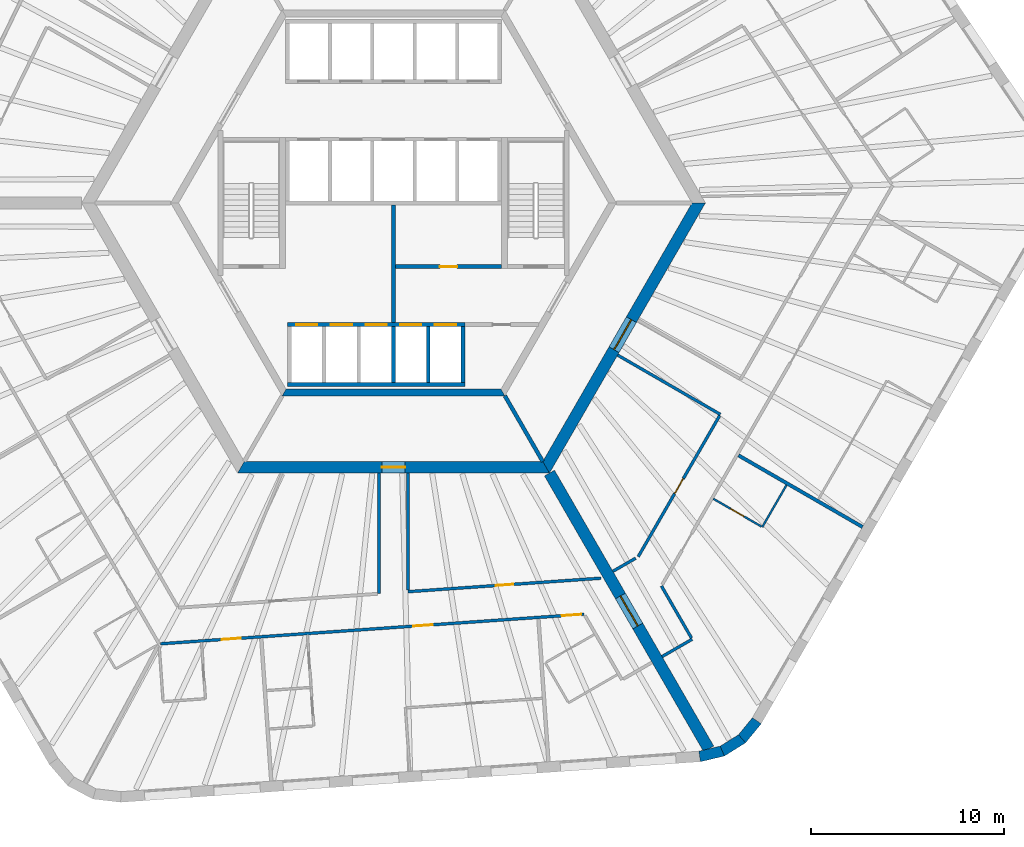
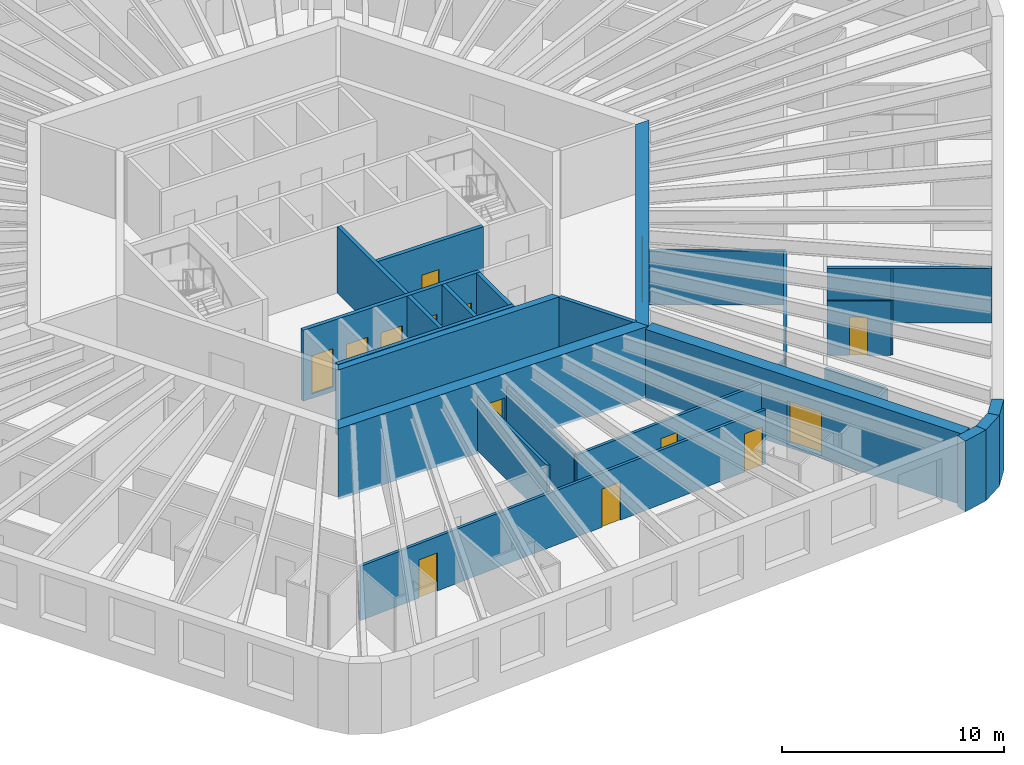
# One storey, part 5 of 12: 27 walls, 15 doors, 15 openings.
"""IFC4 building model written with IfcOpenShell, lengths in metres."""

from ifc_helpers import new_model, si_unit, direction, frame, frame_2d, origin, place, context, subcontext, project, spatial, polyline, rectangle, outline, extrude, material, layer, layer_set, type_object, element, fill, save


model = new_model("IFC4")

# Units and contexts
model_context = context("Model", 3, precision=1e-05, world=origin(), true_north=direction((0.0, 1.0)))
body_context = subcontext(model_context, "Body", "Model", "MODEL_VIEW")
ifc_project = project(units=[si_unit("LENGTHUNIT", "METRE"), si_unit("AREAUNIT", "SQUARE_METRE"), si_unit("VOLUMEUNIT", "CUBIC_METRE"), si_unit("PLANEANGLEUNIT", "RADIAN"), si_unit("MASSUNIT", "GRAM", prefix="KILO")], contexts=[model_context])

# Site, building, storey
site_placement = place(None, origin())
site = spatial("IfcSite", under=ifc_project, at=site_placement, CompositionType="ELEMENT")
building_placement = place(site_placement, origin())
building = spatial("IfcBuilding", under=site, at=building_placement, Name="Tarnside Tower", CompositionType="ELEMENT")
storey_placement = place(building_placement, frame((0.0, 0.0, 131.10009765625)))
storey = spatial("IfcBuildingStorey", under=building, at=storey_placement, Name="L30", CompositionType="ELEMENT", Elevation=131.10009765625)

# Wall
ifc_material_1 = material(Name="Gypsum board partition on steel studs", Category="steel")
ifc_layer_1 = layer(ifc_material_1, 0.10009765625)
ifc_layer_set_1 = layer_set([ifc_layer_1], Name="Bathroom wall 100")
wall_type_1 = type_object("IfcWallType", Name="Bathroom wall 100", PredefinedType="PARTITIONING", material=ifc_layer_set_1)
wall_1_placement = place(storey_placement, frame((20.367919921875, -14.621826171875, 0.0), z_axis=(0.0, 0.0, 1.0), x_axis=(-0.50001992892, -0.866013897511, 0.0)))
element("IfcWall", 1, at=wall_1_placement, inside=storey, type_object=wall_type_1, Name="Bathroom wall 09143", PredefinedType="PARTITIONING", context=body_context, shape_type="SweptSolid", body=[
    extrude(rectangle(XDim=2.51025390625, YDim=0.10009765625, at=frame_2d((1.255126953125, 0.0))), origin(), (0.0, 0.0, 1.0), 2.98779296875),
])

# Wall, opening, door
wall_2_placement = place(storey_placement, frame((19.069580078125, -16.7705078125, 0.0), z_axis=(0.0, 0.0, 1.0), x_axis=(-0.866018712932, 0.500011588718, 0.0)))
wall_2 = element("IfcWall", 2, at=wall_2_placement, inside=storey, type_object=wall_type_1, Name="Bathroom wall 09144", PredefinedType="PARTITIONING", context=body_context, shape_type="SweptSolid", body=[
    extrude(rectangle(XDim=2.875, YDim=0.10009765625, at=frame_2d((1.4375, 0.0))), origin(), (0.0, 0.0, 1.0), 2.98779296875),
])
opening_1_placement = place(wall_2_placement, frame((1.050048828125, 0.0, 0.0)))
opening_1 = element("IfcOpeningElement", 3, at=opening_1_placement, cuts=wall_2, Name="Opening D-B1", PredefinedType="OPENING", context=body_context, shape_type="SweptSolid", body=[
    extrude(rectangle(XDim=0.800048828125, YDim=2.10009765625, at=frame_2d((0.39990234375, 1.050048828125))), frame((0.0, 0.06005859375, 0.0), z_axis=(0.0, -1.0, 0.0), x_axis=(1.0, 0.0, 0.0)), (0.0, 0.0, 1.0), 0.1201171875),
])
ifc_material_2 = material(Name="Timber door leaf", Category="wood")
door_type_1 = type_object("IfcDoorType", Name="Bathroom door 800", OperationType="NOTDEFINED", PredefinedType="DOOR", material=ifc_material_2)
door_1_placement = place(opening_1_placement, origin())
door_1 = element("IfcDoor", 4, at=door_1_placement, inside=storey, type_object=door_type_1, Name="Bathroom door 09032", OperationType="SINGLE_SWING_LEFT", OverallHeight=2.10009765625, OverallWidth=0.800048828125, PredefinedType="DOOR", context=body_context, shape_type="SweptSolid", body=[
    extrude(rectangle(XDim=0.800048828125, YDim=2.10009765625, at=frame_2d((0.39990234375, 1.050048828125))), frame((0.0, 0.02490234375, 0.0), z_axis=(0.0, -1.0, 0.0), x_axis=(1.0, 0.0, 0.0)), (0.0, 0.0, 1.0), 0.050048828125),
])
fill(opening_1, door_1)

# Wall
ifc_material_3 = material(Name="Concrete C50/60", Category="concrete")
ifc_layer_2 = layer(ifc_material_3, 0.35009765625)
ifc_layer_set_2 = layer_set([ifc_layer_2], Name="Core block wall 350 C50/60")
wall_type_2 = type_object("IfcWallType", Name="Core block wall 350 C50/60", PredefinedType="SHEAR", material=ifc_layer_set_2)
wall_3_placement = place(storey_placement, frame((-5.672607421875, -9.824951171875, -0.150146484375), z_axis=(0.0, 0.0, 1.0), x_axis=(1.0, 0.0, 0.0)))
element("IfcWall", 5, at=wall_3_placement, inside=storey, type_object=wall_type_2, Name="L30 core block wall face 4", PredefinedType="SHEAR", context=body_context, shape_type="SweptSolid", body=[
    extrude(outline(polyline([(-0.10107421875, -0.175048828125), (11.4462890625, -0.175048828125), (11.244140625, 0.175048828125), (0.10107421875, 0.175048828125), (-0.10107421875, -0.175048828125)])), origin(), (0.0, 0.0, 1.0), 3.900146484375),
])

# Wall, opening, door
ifc_material_4 = material(Name="Concrete C40/50", Category="concrete")
ifc_layer_3 = layer(ifc_material_4, 0.199951171875)
ifc_layer_set_3 = layer_set([ifc_layer_3], Name="Core room partition 200 C40/50")
wall_type_3 = type_object("IfcWallType", Name="Core room partition 200 C40/50", PredefinedType="PARTITIONING", material=ifc_layer_set_3)
wall_4_placement = place(storey_placement, frame((0.10009765625, -3.300048828125, 0.0), z_axis=(0.0, 0.0, 1.0), x_axis=(1.0, 0.0, 0.0)))
wall_4 = element("IfcWall", 6, at=wall_4_placement, inside=storey, type_object=wall_type_3, Name="L30 core partition R3S1", PredefinedType="PARTITIONING", context=body_context, shape_type="SweptSolid", body=[
    extrude(rectangle(XDim=5.5, YDim=0.199951171875, at=frame_2d((2.75, 0.0))), origin(), (0.0, 0.0, 1.0), 3.64990234375),
])
opening_2_placement = place(wall_4_placement, frame((2.300048828125, 0.0, 0.0)))
opening_2 = element("IfcOpeningElement", 7, at=opening_2_placement, cuts=wall_4, Name="Opening CD-room", PredefinedType="OPENING", context=body_context, shape_type="SweptSolid", body=[
    extrude(rectangle(XDim=0.89990234375, YDim=2.10009765625, at=frame_2d((0.449951171875, 1.050048828125))), frame((0.0, 0.10986328125, 0.0), z_axis=(0.0, -1.0, 0.0), x_axis=(1.0, 0.0, 0.0)), (0.0, 0.0, 1.0), 0.219970703125),
])
ifc_material_5 = material(Name="Steel fire door", Category="steel")
door_type_2 = type_object("IfcDoorType", Name="Room door FD60 900x2100", OperationType="NOTDEFINED", PredefinedType="DOOR", material=ifc_material_5)
door_2_placement = place(opening_2_placement, origin())
door_2 = element("IfcDoor", 8, at=door_2_placement, inside=storey, type_object=door_type_2, Name="L30 core room door SR1", OperationType="SINGLE_SWING_LEFT", OverallHeight=2.10009765625, OverallWidth=0.89990234375, PredefinedType="DOOR", context=body_context, shape_type="SweptSolid", body=[
    extrude(rectangle(XDim=0.89990234375, YDim=2.10009765625, at=frame_2d((0.449951171875, 1.050048828125))), frame((0.0, 0.02490234375, 0.0), z_axis=(0.0, -1.0, 0.0), x_axis=(1.0, 0.0, 0.0)), (0.0, 0.0, 1.0), 0.050048828125),
])
fill(opening_2, door_2)

# Wall
wall_5_placement = place(storey_placement, frame((0.0, -6.199951171875, 0.0), z_axis=(0.0, 0.0, 1.0), x_axis=(0.0, 1.0, 0.0)))
element("IfcWall", 9, at=wall_5_placement, inside=storey, type_object=wall_type_3, Name="L30 core partition X0", PredefinedType="PARTITIONING", context=body_context, shape_type="SweptSolid", body=[
    extrude(rectangle(XDim=6.099853515625, YDim=0.199951171875, at=frame_2d((3.0498046875, 0.0))), origin(), (0.0, 0.0, 1.0), 3.64990234375),
])

# Wall, opening, door
ifc_material_6 = material(Name="Concrete C80/95", Category="concrete")
ifc_layer_4 = layer(ifc_material_6, 0.60009765625)
ifc_layer_set_4 = layer_set([ifc_layer_4], Name="Core wall Z1 600 C80/95")
wall_type_4 = type_object("IfcWallType", Name="Core wall Z1 600 C80/95", PredefinedType="SHEAR", material=ifc_layer_set_4)
wall_6_placement = place(storey_placement, frame((-7.90966796875, -13.699951171875, -0.150146484375), z_axis=(0.0, 0.0, 1.0), x_axis=(1.0, 0.0, 0.0)))
wall_6 = element("IfcWall", 10, at=wall_6_placement, inside=storey, type_object=wall_type_4, Name="L30 core wall face 4", PredefinedType="SHEAR", context=body_context, shape_type="SweptSolid", body=[
    extrude(outline(polyline([(-0.17333984375, -0.300048828125), (15.99267578125, -0.300048828125), (15.64599609375, 0.300048828125), (0.17333984375, 0.300048828125), (-0.17333984375, -0.300048828125)])), origin(), (0.0, 0.0, 1.0), 3.900146484375),
])
opening_3_placement = place(wall_6_placement, frame((7.309814453125, 0.0, 0.14990234375)))
opening_3 = element("IfcOpeningElement", 11, at=opening_3_placement, cuts=wall_6, Name="Opening CD-RSR", PredefinedType="OPENING", context=body_context, shape_type="SweptSolid", body=[
    extrude(rectangle(XDim=1.199951171875, YDim=2.39990234375, at=frame_2d((0.60009765625, 1.199951171875))), frame((0.0, 0.31005859375, 0.0), z_axis=(0.0, -1.0, 0.0), x_axis=(1.0, 0.0, 0.0)), (0.0, 0.0, 1.0), 0.6201171875),
])
door_type_3 = type_object("IfcDoorType", Name="Riser door FD60 1200x2400", OperationType="NOTDEFINED", PredefinedType="DOOR", material=ifc_material_5)
door_3_placement = place(opening_3_placement, origin())
door_3 = element("IfcDoor", 12, at=door_3_placement, inside=storey, type_object=door_type_3, Name="L30 core door S6", OperationType="SINGLE_SWING_LEFT", OverallHeight=2.39990234375, OverallWidth=1.199951171875, PredefinedType="DOOR", context=body_context, shape_type="SweptSolid", body=[
    extrude(rectangle(XDim=1.199951171875, YDim=2.39990234375, at=frame_2d((0.60009765625, 1.199951171875))), frame((0.0, 0.02490234375, 0.0), z_axis=(0.0, -1.0, 0.0), x_axis=(1.0, 0.0, 0.0)), (0.0, 0.0, 1.0), 0.050048828125),
])
fill(opening_3, door_3)

wall_7_placement = place(storey_placement, frame((7.90966796875, -13.699951171875, -0.150146484375), z_axis=(0.0, 0.0, 1.0), x_axis=(0.499999880136, 0.866025472988, 0.0)))
wall_7 = element("IfcWall", 13, at=wall_7_placement, inside=storey, type_object=wall_type_4, Name="L30 core wall face 5", PredefinedType="SHEAR", context=body_context, shape_type="SweptSolid", body=[
    extrude(outline(polyline([(-0.17333984375, -0.300048828125), (15.99267578125, -0.300048828125), (15.64599609375, 0.300048828125), (0.17333984375, 0.300048828125), (-0.17333984375, -0.300048828125)])), origin(), (0.0, 0.0, 1.0), 3.900146484375),
])
opening_4_placement = place(wall_7_placement, frame((7.03857421875, 0.0, 0.14990234375)))
opening_4 = element("IfcOpeningElement", 14, at=opening_4_placement, cuts=wall_7, Name="Opening CD-FFL", PredefinedType="OPENING", context=body_context, shape_type="SweptSolid", body=[
    extrude(rectangle(XDim=1.800048828125, YDim=2.39990234375, at=frame_2d((0.89990234375, 1.199951171875))), frame((0.0, 0.31005859375, 0.0), z_axis=(0.0, -1.0, 0.0), x_axis=(1.0, 0.0, 0.0)), (0.0, 0.0, 1.0), 0.6201171875),
])
door_type_4 = type_object("IfcDoorType", Name="Firefighting lobby double door FD60S 1800x2400", OperationType="NOTDEFINED", PredefinedType="DOOR", material=ifc_material_5)
door_4_placement = place(opening_4_placement, origin())
door_4 = element("IfcDoor", 15, at=door_4_placement, inside=storey, type_object=door_type_4, Name="L30 core door P4", OperationType="DOUBLE_DOOR_SINGLE_SWING", OverallHeight=2.39990234375, OverallWidth=1.800048828125, PredefinedType="DOOR", context=body_context, shape_type="SweptSolid", body=[
    extrude(rectangle(XDim=1.800048828125, YDim=2.39990234375, at=frame_2d((0.89990234375, 1.199951171875))), frame((0.0, 0.02490234375, 0.0), z_axis=(0.0, -1.0, 0.0), x_axis=(1.0, 0.0, 0.0)), (0.0, 0.0, 1.0), 0.050048828125),
])
fill(opening_4, door_4)

wall_8_placement = place(storey_placement, frame((8.0830078125, -14.0, -0.150146484375), z_axis=(0.0, 0.0, 1.0), x_axis=(0.499997680643, -0.866026742862, 0.0)))
wall_8 = element("IfcWall", 16, at=wall_8_placement, inside=storey, type_object=wall_type_4, Name="L30 spine wall 3", PredefinedType="SHEAR", context=body_context, shape_type="SweptSolid", body=[
    extrude(rectangle(XDim=16.5087890625, YDim=0.60009765625, at=frame_2d((8.25439453125, 0.0))), origin(), (0.0, 0.0, 1.0), 3.900146484375),
])
opening_5_placement = place(wall_8_placement, frame((7.3544921875, 0.0, 0.14990234375)))
opening_5 = element("IfcOpeningElement", 17, at=opening_5_placement, cuts=wall_8, Name="Opening CD-SPN", PredefinedType="OPENING", context=body_context, shape_type="SweptSolid", body=[
    extrude(rectangle(XDim=1.800048828125, YDim=2.39990234375, at=frame_2d((0.89990234375, 1.199951171875))), frame((0.0, 0.31005859375, 0.0), z_axis=(0.0, -1.0, 0.0), x_axis=(1.0, 0.0, 0.0)), (0.0, 0.0, 1.0), 0.6201171875),
])
door_type_5 = type_object("IfcDoorType", Name="Spine passage double door FD60 1800x2400", OperationType="NOTDEFINED", PredefinedType="DOOR", material=ifc_material_5)
door_5_placement = place(opening_5_placement, origin())
door_5 = element("IfcDoor", 18, at=door_5_placement, inside=storey, type_object=door_type_5, Name="L30 spine passage door 3", OperationType="DOUBLE_DOOR_SINGLE_SWING", OverallHeight=2.39990234375, OverallWidth=1.800048828125, PredefinedType="DOOR", context=body_context, shape_type="SweptSolid", body=[
    extrude(rectangle(XDim=1.800048828125, YDim=2.39990234375, at=frame_2d((0.89990234375, 1.199951171875))), frame((0.0, 0.02490234375, 0.0), z_axis=(0.0, -1.0, 0.0), x_axis=(1.0, 0.0, 0.0)), (0.0, 0.0, 1.0), 0.050048828125),
])
fill(opening_5, door_5)

# Wall, openings, doors
ifc_layer_5 = layer(ifc_material_1, 0.14990234375)
ifc_layer_set_5 = layer_set([ifc_layer_5], Name="Corridor wall 150 EI 60")
wall_type_5 = type_object("IfcWallType", Name="Corridor wall 150 EI 60", PredefinedType="PARTITIONING", material=ifc_layer_set_5)
wall_9_placement = place(storey_placement, frame((-12.068115234375, -22.847412109375, 0.0), z_axis=(0.0, 0.0, 1.0), x_axis=(0.99756437486, 0.069751831595, 0.0)))
wall_9 = element("IfcWall", 19, at=wall_9_placement, inside=storey, type_object=wall_type_5, Name="Corridor wall 09035", PredefinedType="PARTITIONING", context=body_context, shape_type="SweptSolid", body=[
    extrude(rectangle(XDim=22.001708984375, YDim=0.14990234375, at=frame_2d((11.0009765625, 0.0))), origin(), (0.0, 0.0, 1.0), 2.98779296875),
])
opening_6_placement = place(wall_9_placement, frame((3.1689453125, 0.0, 0.0)))
opening_6 = element("IfcOpeningElement", 20, at=opening_6_placement, cuts=wall_9, Name="Opening D-E1", PredefinedType="OPENING", context=body_context, shape_type="SweptSolid", body=[
    extrude(rectangle(XDim=1.0, YDim=2.10009765625, at=frame_2d((0.5, 1.050048828125))), frame((0.0, 0.0849609375, 0.0), z_axis=(0.0, -1.0, 0.0), x_axis=(1.0, 0.0, 0.0)), (0.0, 0.0, 1.0), 0.169921875),
])
opening_7_placement = place(wall_9_placement, frame((13.121337890625, 0.0, 0.0)))
opening_7 = element("IfcOpeningElement", 21, at=opening_7_placement, cuts=wall_9, Name="Opening D-E1", PredefinedType="OPENING", context=body_context, shape_type="SweptSolid", body=[
    extrude(rectangle(XDim=1.0, YDim=2.10009765625, at=frame_2d((0.5, 1.050048828125))), frame((0.0, 0.0849609375, 0.0), z_axis=(0.0, -1.0, 0.0), x_axis=(1.0, 0.0, 0.0)), (0.0, 0.0, 1.0), 0.169921875),
])
opening_8_placement = place(wall_9_placement, frame((20.851806640625, 0.0, 0.0)))
opening_8 = element("IfcOpeningElement", 22, at=opening_8_placement, cuts=wall_9, Name="Opening D-E1", PredefinedType="OPENING", context=body_context, shape_type="SweptSolid", body=[
    extrude(rectangle(XDim=1.0, YDim=2.10009765625, at=frame_2d((0.5, 1.050048828125))), frame((0.0, 0.0849609375, 0.0), z_axis=(0.0, -1.0, 0.0), x_axis=(1.0, 0.0, 0.0)), (0.0, 0.0, 1.0), 0.169921875),
])
door_type_6 = type_object("IfcDoorType", Name="Unit entrance door 1000 FD30S", OperationType="NOTDEFINED", PredefinedType="DOOR", material=ifc_material_2)
door_6_placement = place(opening_6_placement, origin())
door_6 = element("IfcDoor", 23, at=door_6_placement, inside=storey, type_object=door_type_6, Name="Unit door 09023", OperationType="SINGLE_SWING_LEFT", OverallHeight=2.10009765625, OverallWidth=1.0, PredefinedType="DOOR", context=body_context, shape_type="SweptSolid", body=[
    extrude(rectangle(XDim=1.0, YDim=2.10009765625, at=frame_2d((0.5, 1.050048828125))), frame((0.0, 0.02490234375, 0.0), z_axis=(0.0, -1.0, 0.0), x_axis=(1.0, 0.0, 0.0)), (0.0, 0.0, 1.0), 0.050048828125),
])
fill(opening_6, door_6)
door_7_placement = place(opening_7_placement, origin())
door_7 = element("IfcDoor", 24, at=door_7_placement, inside=storey, type_object=door_type_6, Name="Unit door 09025", OperationType="SINGLE_SWING_RIGHT", OverallHeight=2.10009765625, OverallWidth=1.0, PredefinedType="DOOR", context=body_context, shape_type="SweptSolid", body=[
    extrude(rectangle(XDim=1.0, YDim=2.10009765625, at=frame_2d((0.5, 1.050048828125))), frame((0.0, 0.02490234375, 0.0), z_axis=(0.0, -1.0, 0.0), x_axis=(1.0, 0.0, 0.0)), (0.0, 0.0, 1.0), 0.050048828125),
])
fill(opening_7, door_7)
door_8_placement = place(opening_8_placement, origin())
door_8 = element("IfcDoor", 25, at=door_8_placement, inside=storey, type_object=door_type_6, Name="Unit door 09029", OperationType="SINGLE_SWING_LEFT", OverallHeight=2.10009765625, OverallWidth=1.0, PredefinedType="DOOR", context=body_context, shape_type="SweptSolid", body=[
    extrude(rectangle(XDim=1.0, YDim=2.10009765625, at=frame_2d((0.5, 1.050048828125))), frame((0.0, 0.02490234375, 0.0), z_axis=(0.0, -1.0, 0.0), x_axis=(1.0, 0.0, 0.0)), (0.0, 0.0, 1.0), 0.050048828125),
])
fill(opening_8, door_8)

# Wall
wall_10_placement = place(storey_placement, frame((-0.75, -14.0, 0.0), z_axis=(0.0, 0.0, 1.0), x_axis=(0.0, -1.0, 0.0)))
element("IfcWall", 26, at=wall_10_placement, inside=storey, type_object=wall_type_5, Name="Corridor wall 09047", PredefinedType="PARTITIONING", context=body_context, shape_type="SweptSolid", body=[
    extrude(rectangle(XDim=6.251708984375, YDim=0.14990234375, at=frame_2d((3.1259765625, 0.0))), origin(), (0.0, 0.0, 1.0), 2.98779296875),
])

# Wall, opening, door
wall_11_placement = place(storey_placement, frame((10.75439453125, -19.447265625, 0.0), z_axis=(0.0, 0.0, 1.0), x_axis=(-0.997564830966, -0.069745308232, 0.0)))
wall_11 = element("IfcWall", 27, at=wall_11_placement, inside=storey, type_object=wall_type_5, Name="Corridor wall 09052", PredefinedType="PARTITIONING", context=body_context, shape_type="SweptSolid", body=[
    extrude(rectangle(XDim=10.02880859375, YDim=0.14990234375, at=frame_2d((5.014404296875, 0.0))), origin(), (0.0, 0.0, 1.0), 2.98779296875),
])
opening_9_placement = place(wall_11_placement, frame((4.564453125, 0.0, 0.0)))
opening_9 = element("IfcOpeningElement", 28, at=opening_9_placement, cuts=wall_11, Name="Opening D-S1", PredefinedType="OPENING", context=body_context, shape_type="SweptSolid", body=[
    extrude(rectangle(XDim=0.89990234375, YDim=2.10009765625, at=frame_2d((0.449951171875, 1.050048828125))), frame((0.0, 0.0849609375, 0.0), z_axis=(0.0, -1.0, 0.0), x_axis=(1.0, 0.0, 0.0)), (0.0, 0.0, 1.0), 0.169921875),
])
door_type_7 = type_object("IfcDoorType", Name="Service room door 900 FD30S", OperationType="NOTDEFINED", PredefinedType="DOOR", material=ifc_material_2)
door_9_placement = place(opening_9_placement, origin())
door_9 = element("IfcDoor", 29, at=door_9_placement, inside=storey, type_object=door_type_7, Name="Service door 09052", OperationType="SINGLE_SWING_LEFT", OverallHeight=2.10009765625, OverallWidth=0.89990234375, PredefinedType="DOOR", context=body_context, shape_type="SweptSolid", body=[
    extrude(rectangle(XDim=0.89990234375, YDim=2.10009765625, at=frame_2d((0.449951171875, 1.050048828125))), frame((0.0, 0.02490234375, 0.0), z_axis=(0.0, -1.0, 0.0), x_axis=(1.0, 0.0, 0.0)), (0.0, 0.0, 1.0), 0.050048828125),
])
fill(opening_9, door_9)

# Walls
wall_12_placement = place(storey_placement, frame((0.75, -20.071533203125, 0.0), z_axis=(0.0, 0.0, 1.0), x_axis=(0.0, 1.0, 0.0)))
element("IfcWall", 30, at=wall_12_placement, inside=storey, type_object=wall_type_5, Name="Corridor wall 09053", PredefinedType="PARTITIONING", context=body_context, shape_type="SweptSolid", body=[
    extrude(rectangle(XDim=6.071533203125, YDim=0.14990234375, at=frame_2d((3.03564453125, 0.0))), origin(), (0.0, 0.0, 1.0), 2.98779296875),
])
wall_13_placement = place(storey_placement, frame((13.919921875, -23.510009765625, 0.0), z_axis=(0.0, 0.0, 1.0), x_axis=(0.866047807691, 0.499961193289, 0.0)))
element("IfcWall", 31, at=wall_13_placement, inside=storey, type_object=wall_type_5, Name="Corridor wall 09054", PredefinedType="PARTITIONING", context=body_context, shape_type="SweptSolid", body=[
    extrude(rectangle(XDim=1.800048828125, YDim=0.14990234375, at=frame_2d((0.89990234375, 0.0))), origin(), (0.0, 0.0, 1.0), 2.98779296875),
])
wall_14_placement = place(storey_placement, frame((15.44140625, -22.545166015625, 0.0), z_axis=(0.0, 0.0, 1.0), x_axis=(-0.500037089193, 0.86600398927, 0.0)))
element("IfcWall", 32, at=wall_14_placement, inside=storey, type_object=wall_type_5, Name="Corridor wall 09055", PredefinedType="PARTITIONING", context=body_context, shape_type="SweptSolid", body=[
    extrude(rectangle(XDim=3.112060546875, YDim=0.14990234375, at=frame_2d((1.55615234375, 0.0))), origin(), (0.0, 0.0, 1.0), 2.98779296875),
])
wall_15_placement = place(storey_placement, frame((11.61376953125, -7.88427734375, 0.0), z_axis=(0.0, 0.0, 1.0), x_axis=(0.866033542371, -0.499985903289, 0.0)))
element("IfcWall", 33, at=wall_15_placement, inside=storey, type_object=wall_type_5, Name="Corridor wall 09076", PredefinedType="PARTITIONING", context=body_context, shape_type="SweptSolid", body=[
    extrude(rectangle(XDim=6.150146484375, YDim=0.14990234375, at=frame_2d((3.0751953125, 0.0))), origin(), (0.0, 0.0, 1.0), 2.98779296875),
])

# Wall, opening, door
wall_16_placement = place(storey_placement, frame((16.90234375, -11.024169921875, 0.0), z_axis=(0.0, 0.0, 1.0), x_axis=(-0.499999527968, -0.866025676312, 0.0)))
wall_16 = element("IfcWall", 34, at=wall_16_placement, inside=storey, type_object=wall_type_5, Name="Corridor wall 09077", PredefinedType="PARTITIONING", context=body_context, shape_type="SweptSolid", body=[
    extrude(rectangle(XDim=8.44091796875, YDim=0.14990234375, at=frame_2d((4.220458984375, 0.0))), origin(), (0.0, 0.0, 1.0), 2.98779296875),
])
opening_10_placement = place(wall_16_placement, frame((3.7705078125, 0.0, 0.0)))
opening_10 = element("IfcOpeningElement", 35, at=opening_10_placement, cuts=wall_16, Name="Opening D-S1", PredefinedType="OPENING", context=body_context, shape_type="SweptSolid", body=[
    extrude(rectangle(XDim=0.89990234375, YDim=2.10009765625, at=frame_2d((0.449951171875, 1.050048828125))), frame((0.0, 0.0849609375, 0.0), z_axis=(0.0, -1.0, 0.0), x_axis=(1.0, 0.0, 0.0)), (0.0, 0.0, 1.0), 0.169921875),
])
door_10_placement = place(opening_10_placement, origin())
door_10 = element("IfcDoor", 36, at=door_10_placement, inside=storey, type_object=door_type_7, Name="Service door 09055", OperationType="SINGLE_SWING_RIGHT", OverallHeight=2.10009765625, OverallWidth=0.89990234375, PredefinedType="DOOR", context=body_context, shape_type="SweptSolid", body=[
    extrude(rectangle(XDim=0.89990234375, YDim=2.10009765625, at=frame_2d((0.449951171875, 1.050048828125))), frame((0.0, 0.02490234375, 0.0), z_axis=(0.0, -1.0, 0.0), x_axis=(1.0, 0.0, 0.0)), (0.0, 0.0, 1.0), 0.050048828125),
])
fill(opening_10, door_10)

# Walls
wall_17_placement = place(storey_placement, frame((12.552001953125, -18.409423828125, 0.0), z_axis=(0.0, 0.0, 1.0), x_axis=(-0.866078408764, -0.499908181442, 0.0)))
element("IfcWall", 37, at=wall_17_placement, inside=storey, type_object=wall_type_5, Name="Corridor wall 09078", PredefinedType="PARTITIONING", context=body_context, shape_type="SweptSolid", body=[
    extrude(rectangle(XDim=1.365478515625, YDim=0.14990234375, at=frame_2d((0.6826171875, 0.0))), origin(), (0.0, 0.0, 1.0), 2.98779296875),
])
ifc_layer_6 = layer(ifc_material_1, 0.179931640625)
ifc_layer_set_6 = layer_set([ifc_layer_6], Name="Demising wall 180 EI 60")
wall_type_6 = type_object("IfcWallType", Name="Demising wall 180 EI 60", PredefinedType="PARTITIONING", material=ifc_layer_set_6)
wall_18_placement = place(storey_placement, frame((24.31005859375, -16.7939453125, 0.0), z_axis=(0.0, 0.0, 1.0), x_axis=(-0.866022965479, 0.500004223245, 0.0)))
element("IfcWall", 38, at=wall_18_placement, inside=storey, type_object=wall_type_6, Name="Demising wall 09145", PredefinedType="PARTITIONING", context=body_context, shape_type="SweptSolid", body=[
    extrude(rectangle(XDim=7.42529296875, YDim=0.179931640625, at=frame_2d((3.712646484375, 0.0))), origin(), (0.0, 0.0, 1.0), 2.98779296875),
])

# Wall, openings, doors
ifc_layer_7 = layer(ifc_material_4, 0.199951171875)
ifc_layer_set_7 = layer_set([ifc_layer_7], Name="Lift shaft wall 200 C40/50")
wall_type_7 = type_object("IfcWallType", Name="Lift shaft wall 200 C40/50", PredefinedType="SHEAR", material=ifc_layer_set_7)
wall_19_placement = place(storey_placement, frame((-5.5, -6.300048828125, -0.25), z_axis=(0.0, 0.0, 1.0), x_axis=(1.0, 0.0, 0.0)))
wall_19 = element("IfcWall", 39, at=wall_19_placement, inside=storey, type_object=wall_type_7, Name="L30 lift shaft front wall R4", PredefinedType="SHEAR", context=body_context, shape_type="SweptSolid", body=[
    extrude(rectangle(XDim=9.199951171875, YDim=0.199951171875, at=frame_2d((4.60009765625, 0.0))), origin(), (0.0, 0.0, 1.0), 3.89990234375),
])
opening_11_placement = place(wall_19_placement, frame((0.449951171875, 0.0, 0.25)))
opening_11 = element("IfcOpeningElement", 40, at=opening_11_placement, cuts=wall_19, Name="Opening LDF", PredefinedType="OPENING", context=body_context, shape_type="SweptSolid", body=[
    extrude(rectangle(XDim=1.10009765625, YDim=2.10009765625, at=frame_2d((0.550048828125, 1.050048828125))), frame((0.0, 0.10986328125, 0.0), z_axis=(0.0, -1.0, 0.0), x_axis=(1.0, 0.0, 0.0)), (0.0, 0.0, 1.0), 0.219970703125),
])
opening_12_placement = place(wall_19_placement, frame((2.25, 0.0, 0.25)))
opening_12 = element("IfcOpeningElement", 41, at=opening_12_placement, cuts=wall_19, Name="Opening LDF", PredefinedType="OPENING", context=body_context, shape_type="SweptSolid", body=[
    extrude(rectangle(XDim=1.10009765625, YDim=2.10009765625, at=frame_2d((0.550048828125, 1.050048828125))), frame((0.0, 0.10986328125, 0.0), z_axis=(0.0, -1.0, 0.0), x_axis=(1.0, 0.0, 0.0)), (0.0, 0.0, 1.0), 0.219970703125),
])
opening_13_placement = place(wall_19_placement, frame((4.050048828125, 0.0, 0.25)))
opening_13 = element("IfcOpeningElement", 42, at=opening_13_placement, cuts=wall_19, Name="Opening LDF", PredefinedType="OPENING", context=body_context, shape_type="SweptSolid", body=[
    extrude(rectangle(XDim=1.10009765625, YDim=2.10009765625, at=frame_2d((0.550048828125, 1.050048828125))), frame((0.0, 0.10986328125, 0.0), z_axis=(0.0, -1.0, 0.0), x_axis=(1.0, 0.0, 0.0)), (0.0, 0.0, 1.0), 0.219970703125),
])
opening_14_placement = place(wall_19_placement, frame((5.85009765625, 0.0, 0.25)))
opening_14 = element("IfcOpeningElement", 43, at=opening_14_placement, cuts=wall_19, Name="Opening LDF", PredefinedType="OPENING", context=body_context, shape_type="SweptSolid", body=[
    extrude(rectangle(XDim=1.10009765625, YDim=2.10009765625, at=frame_2d((0.550048828125, 1.050048828125))), frame((0.0, 0.10986328125, 0.0), z_axis=(0.0, -1.0, 0.0), x_axis=(1.0, 0.0, 0.0)), (0.0, 0.0, 1.0), 0.219970703125),
])
opening_15_placement = place(wall_19_placement, frame((7.64990234375, 0.0, 0.25)))
opening_15 = element("IfcOpeningElement", 44, at=opening_15_placement, cuts=wall_19, Name="Opening LDF", PredefinedType="OPENING", context=body_context, shape_type="SweptSolid", body=[
    extrude(rectangle(XDim=1.10009765625, YDim=2.10009765625, at=frame_2d((0.550048828125, 1.050048828125))), frame((0.0, 0.10986328125, 0.0), z_axis=(0.0, -1.0, 0.0), x_axis=(1.0, 0.0, 0.0)), (0.0, 0.0, 1.0), 0.219970703125),
])
ifc_material_7 = material(Name="Stainless steel", Category="steel")
door_type_8 = type_object("IfcDoorType", Name="Lift landing door 1100x2100 EI 120", OperationType="NOTDEFINED", PredefinedType="DOOR", material=ifc_material_7)
door_11_placement = place(opening_11_placement, origin())
door_11 = element("IfcDoor", 45, at=door_11_placement, inside=storey, type_object=door_type_8, Name="Firefighting lift 1 landing door L30", OperationType="SLIDING_TO_LEFT", OverallHeight=2.10009765625, OverallWidth=1.10009765625, PredefinedType="DOOR", context=body_context, shape_type="SweptSolid", body=[
    extrude(rectangle(XDim=1.10009765625, YDim=2.10009765625, at=frame_2d((0.550048828125, 1.050048828125))), frame((0.0, 0.02490234375, 0.0), z_axis=(0.0, -1.0, 0.0), x_axis=(1.0, 0.0, 0.0)), (0.0, 0.0, 1.0), 0.050048828125),
])
fill(opening_11, door_11)
door_12_placement = place(opening_12_placement, origin())
door_12 = element("IfcDoor", 46, at=door_12_placement, inside=storey, type_object=door_type_8, Name="Firefighting lift 2 landing door L30", OperationType="SLIDING_TO_LEFT", OverallHeight=2.10009765625, OverallWidth=1.10009765625, PredefinedType="DOOR", context=body_context, shape_type="SweptSolid", body=[
    extrude(rectangle(XDim=1.10009765625, YDim=2.10009765625, at=frame_2d((0.550048828125, 1.050048828125))), frame((0.0, 0.02490234375, 0.0), z_axis=(0.0, -1.0, 0.0), x_axis=(1.0, 0.0, 0.0)), (0.0, 0.0, 1.0), 0.050048828125),
])
fill(opening_12, door_12)
door_13_placement = place(opening_13_placement, origin())
door_13 = element("IfcDoor", 47, at=door_13_placement, inside=storey, type_object=door_type_8, Name="Firefighting lift 3 landing door L30", OperationType="SLIDING_TO_LEFT", OverallHeight=2.10009765625, OverallWidth=1.10009765625, PredefinedType="DOOR", context=body_context, shape_type="SweptSolid", body=[
    extrude(rectangle(XDim=1.10009765625, YDim=2.10009765625, at=frame_2d((0.550048828125, 1.050048828125))), frame((0.0, 0.02490234375, 0.0), z_axis=(0.0, -1.0, 0.0), x_axis=(1.0, 0.0, 0.0)), (0.0, 0.0, 1.0), 0.050048828125),
])
fill(opening_13, door_13)
door_14_placement = place(opening_14_placement, origin())
door_14 = element("IfcDoor", 48, at=door_14_placement, inside=storey, type_object=door_type_8, Name="Firefighting lift 4 landing door L30", OperationType="SLIDING_TO_LEFT", OverallHeight=2.10009765625, OverallWidth=1.10009765625, PredefinedType="DOOR", context=body_context, shape_type="SweptSolid", body=[
    extrude(rectangle(XDim=1.10009765625, YDim=2.10009765625, at=frame_2d((0.550048828125, 1.050048828125))), frame((0.0, 0.02490234375, 0.0), z_axis=(0.0, -1.0, 0.0), x_axis=(1.0, 0.0, 0.0)), (0.0, 0.0, 1.0), 0.050048828125),
])
fill(opening_14, door_14)
door_15_placement = place(opening_15_placement, origin())
door_15 = element("IfcDoor", 49, at=door_15_placement, inside=storey, type_object=door_type_8, Name="Firefighting lift 5 landing door L30", OperationType="SLIDING_TO_LEFT", OverallHeight=2.10009765625, OverallWidth=1.10009765625, PredefinedType="DOOR", context=body_context, shape_type="SweptSolid", body=[
    extrude(rectangle(XDim=1.10009765625, YDim=2.10009765625, at=frame_2d((0.550048828125, 1.050048828125))), frame((0.0, 0.02490234375, 0.0), z_axis=(0.0, -1.0, 0.0), x_axis=(1.0, 0.0, 0.0)), (0.0, 0.0, 1.0), 0.050048828125),
])
fill(opening_15, door_15)

# Walls
wall_20_placement = place(storey_placement, frame((-5.5, -9.39990234375, -0.25), z_axis=(0.0, 0.0, 1.0), x_axis=(1.0, 0.0, 0.0)))
element("IfcWall", 50, at=wall_20_placement, inside=storey, type_object=wall_type_7, Name="L30 lift shaft back wall R4", PredefinedType="SHEAR", context=body_context, shape_type="SweptSolid", body=[
    extrude(rectangle(XDim=9.199951171875, YDim=0.199951171875, at=frame_2d((4.60009765625, 0.0))), origin(), (0.0, 0.0, 1.0), 3.89990234375),
])
for number, where, z_axis, x_axis, name in (
    (51, (0.0, -9.300048828125, -0.25), (0.0, 0.0, 1.0), (0.0, 1.0, 0.0), "L30 lift shaft partition R44"),
    (52, (1.800048828125, -9.300048828125, -0.25), (0.0, 0.0, 1.0), (0.0, 1.0, 0.0), "L30 lift shaft partition R45"),
    (53, (3.60009765625, -9.300048828125, -0.25), (0.0, 0.0, 1.0), (0.0, 1.0, 0.0), "L30 lift shaft partition R46"),
):
    element("IfcWall", number, at=place(storey_placement, frame(where, z_axis=z_axis, x_axis=x_axis)), inside=storey, type_object=wall_type_7, Name=name, PredefinedType="SHEAR", context=body_context, shape_type="SweptSolid", body=[
        extrude(rectangle(XDim=2.900146484375, YDim=0.199951171875, at=frame_2d((1.4501953125, 0.0))), origin(), (0.0, 0.0, 1.0), 3.89990234375),
    ])
wall_21_placement = place(storey_placement, frame((5.7734375, -10.0, -0.150146484375), z_axis=(0.0, 0.0, 1.0), x_axis=(0.500038251005, -0.86600331843, 0.0)))
element("IfcWall", 54, at=wall_21_placement, inside=storey, type_object=wall_type_7, Name="L30 core partition AR300", PredefinedType="SHEAR", context=body_context, shape_type="SweptSolid", body=[
    extrude(rectangle(XDim=3.926025390625, YDim=0.199951171875, at=frame_2d((1.962890625, 0.0))), origin(), (0.0, 0.0, 1.0), 3.900146484375),
])
ifc_material_8 = material(Name="Facing brick", Category="masonry")
ifc_layer_8 = layer(ifc_material_8, 0.10205078125)
ifc_material_9 = material(Name="Concrete C60/75 precast", Category="concrete")
ifc_layer_9 = layer(ifc_material_9, 0.347900390625)
ifc_material_10 = material(Name="Mineral wool insulation")
ifc_layer_10 = layer(ifc_material_10, 0.10009765625)
ifc_layer_set_8 = layer_set([ifc_layer_8, ifc_layer_9, ifc_layer_10], Name="Tube wall 550 brick faced")
wall_type_8 = type_object("IfcWallType", Name="Tube wall 550 brick faced", PredefinedType="SOLIDWALL", material=ifc_layer_set_8)
wall_22_placement = place(storey_placement, frame((15.8642578125, -28.688232421875, -0.150146484375), z_axis=(0.0, 0.0, 1.0), x_axis=(0.973063591128, 0.230536868247, 0.0)))
element("IfcWall", 55, at=wall_22_placement, inside=storey, type_object=wall_type_8, Name="Tube wall L30 F4 chord 13", PredefinedType="SOLIDWALL", context=body_context, shape_type="SweptSolid", body=[
    extrude(outline(polyline([(-0.0224609375, -0.27490234375), (1.25341796875, -0.27490234375), (1.1630859375, 0.27490234375), (0.0224609375, 0.27490234375), (-0.0224609375, -0.27490234375)])), origin(), (0.0, 0.0, 1.0), 3.900146484375),
])
wall_23_placement = place(storey_placement, frame((17.0400390625, -28.40966796875, -0.150146484375), z_axis=(0.0, 0.0, 1.0), x_axis=(0.847952888306, 0.530071598195, 0.0)))
element("IfcWall", 56, at=wall_23_placement, inside=storey, type_object=wall_type_8, Name="Tube wall L30 F4 chord 14", PredefinedType="SOLIDWALL", context=body_context, shape_type="SweptSolid", body=[
    extrude(outline(polyline([(-0.045166015625, -0.27490234375), (1.253173828125, -0.27490234375), (1.162841796875, 0.27490234375), (0.045166015625, 0.27490234375), (-0.045166015625, -0.27490234375)])), origin(), (0.0, 0.0, 1.0), 3.900146484375),
])
wall_24_placement = place(storey_placement, frame((18.064453125, -27.769287109375, -0.150146484375), z_axis=(0.0, 0.0, 1.0), x_axis=(0.633842757806, 0.773461930787, 0.0)))
element("IfcWall", 57, at=wall_24_placement, inside=storey, type_object=wall_type_8, Name="Tube wall L30 F4 chord 15", PredefinedType="SOLIDWALL", context=body_context, shape_type="SweptSolid", body=[
    extrude(outline(polyline([(-0.045166015625, -0.27490234375), (1.230712890625, -0.27490234375), (1.185791015625, 0.27490234375), (0.045166015625, 0.27490234375), (-0.045166015625, -0.27490234375)])), origin(), (0.0, 0.0, 1.0), 3.900146484375),
])

save(model, "model.ifc")
